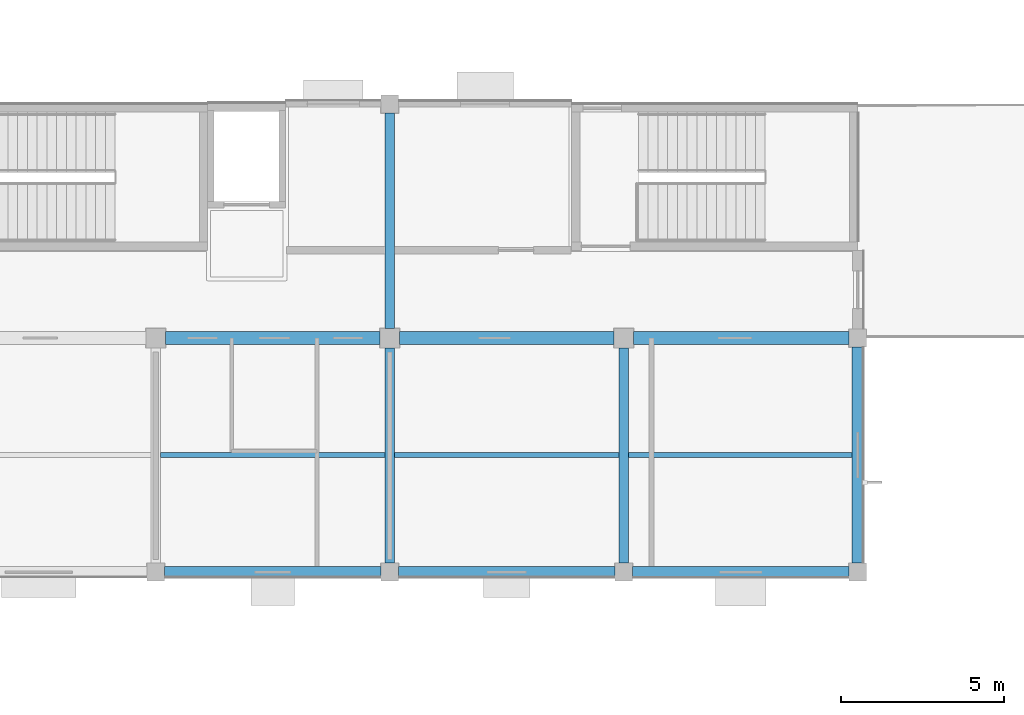
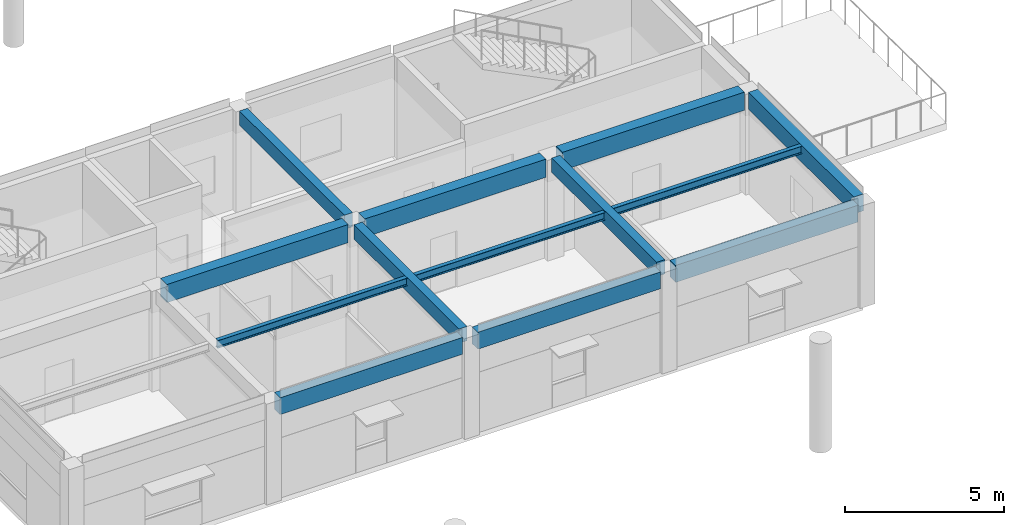
# One storey, part 6 of 41: 13 beams.
"""IFC4 building model written with IfcOpenShell, lengths in metres."""

from ifc_helpers import new_model, si_unit, direction, frame, origin, origin_2d, place, context, subcontext, project, spatial, rectangle, i_section, extrude, material, material_profile, profile_set, type_object, element, save


model = new_model("IFC4")

# Units and contexts
model_context = context("Model", 3, precision=1e-05, world=origin(), true_north=direction((0.0, 1.0)))
body_context = subcontext(model_context, "Body", "Model", "MODEL_VIEW")
ifc_project = project(units=[si_unit("LENGTHUNIT", "METRE"), si_unit("AREAUNIT", "SQUARE_METRE"), si_unit("VOLUMEUNIT", "CUBIC_METRE"), si_unit("PLANEANGLEUNIT", "RADIAN"), si_unit("MASSUNIT", "GRAM", prefix="KILO")], contexts=[model_context])

# Site, building, storey
site_placement = place(None, origin())
site = spatial("IfcSite", under=ifc_project, at=site_placement, CompositionType="ELEMENT")
building_placement = place(site_placement, origin())
building = spatial("IfcBuilding", under=site, at=building_placement, Name="Namkhue Oval Health Centre", CompositionType="ELEMENT")
storey_placement = place(building_placement, frame((0.0, 0.0, 13.800048828125)))
storey = spatial("IfcBuildingStorey", under=building, at=storey_placement, Name="L03", CompositionType="ELEMENT", Elevation=13.800048828125)

# Beams
ifc_material_1 = material(Name="Reinforced concrete C30/37 (TCVN B35)", Category="concrete")
ifc_material_profile_1 = material_profile(ifc_material_1, rectangle(XDim=0.300048828125, YDim=0.550048828125, at=origin_2d()), Name="RC 300x550")
ifc_profile_set_1 = profile_set([ifc_material_profile_1], Name="Reinforced concrete C30/37 (TCVN B35)")
beam_type_1 = type_object("IfcBeamType", Name="FLOOR BEAM RC 300X550", PredefinedType="BEAM", material=ifc_profile_set_1)
for number, where, z_axis, x_axis, name in (
    (1, (108.0, 14.675048828125, 3.60498046875), (0.0, 1.0, 0.0), (-1.0, 0.0, 0.0), "Volume V5 L04 Beam 16/C-D"),
    (2, (108.0, 21.89990234375, 3.60498046875), (0.0, 1.0, 0.0), (-1.0, 0.0, 0.0), "Volume V5 L04 Beam 16/D-E"),
    (3, (115.199951171875, 14.675048828125, 3.65283203125), (0.0, 1.0, 0.0), (-1.0, 0.0, 0.0), "Volume V5 L04 Beam 17/C-D"),
):
    element("IfcBeam", number, at=place(storey_placement, frame(where, z_axis=z_axis, x_axis=x_axis)), inside=storey, type_object=beam_type_1, Name=name, PredefinedType="BEAM", context=body_context, shape_type="SweptSolid", body=[
        extrude(rectangle(XDim=0.300048828125, YDim=0.550048828125, at=origin_2d()), origin(), (0.0, 0.0, 1.0), 6.625),
    ])
ifc_material_2 = material(Name="Reinforced concrete C35/45 (TCVN B40)", Category="concrete")
ifc_material_profile_2 = material_profile(ifc_material_2, rectangle(XDim=0.35009765625, YDim=0.64990234375, at=origin_2d()), Name="RC 350x650")
ifc_profile_set_2 = profile_set([ifc_material_profile_2], Name="Reinforced concrete C35/45 (TCVN B40)")
beam_type_2 = type_object("IfcBeamType", Name="PERIMETER SPANDREL BEAM 350X650", PredefinedType="SPANDREL", material=ifc_profile_set_2)
for number, where, z_axis, x_axis, name in (
    (4, (101.074951171875, 14.39990234375, 3.554931640625), (1.0, 0.0, 0.0), (0.0, 1.0, 0.0), "Volume V5 L04 Girder C/15-16"),
    (5, (108.27490234375, 14.39990234375, 3.554931640625), (1.0, 0.0, 0.0), (0.0, 1.0, 0.0), "Volume V5 L04 Girder C/16-17"),
):
    element("IfcBeam", number, at=place(storey_placement, frame(where, z_axis=z_axis, x_axis=x_axis)), inside=storey, type_object=beam_type_2, Name=name, PredefinedType="SPANDREL", context=body_context, shape_type="SweptSolid", body=[
        extrude(rectangle(XDim=0.35009765625, YDim=0.64990234375, at=origin_2d()), origin(), (0.0, 0.0, 1.0), 6.650146484375),
    ])
for number, where, z_axis, x_axis, name in (
    (6, (115.47509765625, 14.39990234375, 3.60302734375), (1.0, 0.0, 0.0), (0.0, 1.0, 0.0), "Volume V5 L04 Girder C/17-18"),
    (7, (122.39990234375, 14.675048828125, 3.60302734375), (0.0, 1.0, 0.0), (-1.0, 0.0, 0.0), "Volume V5 L04 Beam 18/C-D"),
):
    element("IfcBeam", number, at=place(storey_placement, frame(where, z_axis=z_axis, x_axis=x_axis)), inside=storey, type_object=beam_type_2, Name=name, PredefinedType="SPANDREL", context=body_context, shape_type="SweptSolid", body=[
        extrude(rectangle(XDim=0.35009765625, YDim=0.64990234375, at=origin_2d()), origin(), (0.0, 0.0, 1.0), 6.64990234375),
    ])
ifc_material_profile_3 = material_profile(ifc_material_2, rectangle(XDim=0.39990234375, YDim=0.699951171875, at=origin_2d()), Name="RC 400x700")
ifc_profile_set_3 = profile_set([ifc_material_profile_3], Name="Reinforced concrete C35/45 (TCVN B40)")
beam_type_3 = type_object("IfcBeamType", Name="PRIMARY GIRDER RC 400X700", PredefinedType="USERDEFINED", material=ifc_profile_set_3)
for number, where, z_axis, x_axis, name in (
    (8, (101.10009765625, 21.60009765625, 3.530029296875), (1.0, 0.0, 0.0), (0.0, 1.0, 0.0), "Volume V5 L04 Girder D/15-16"),
    (9, (108.300048828125, 21.60009765625, 3.530029296875), (1.0, 0.0, 0.0), (0.0, 1.0, 0.0), "Volume V5 L04 Girder D/16-17"),
):
    element("IfcBeam", number, at=place(storey_placement, frame(where, z_axis=z_axis, x_axis=x_axis)), inside=storey, type_object=beam_type_3, Name=name, ObjectType="GIRDER", PredefinedType="USERDEFINED", context=body_context, shape_type="SweptSolid", body=[
        extrude(rectangle(XDim=0.39990234375, YDim=0.699951171875, at=origin_2d()), origin(), (0.0, 0.0, 1.0), 6.599853515625),
    ])
beam_1_placement = place(storey_placement, frame((115.5, 21.60009765625, 3.577880859375), z_axis=(1.0, 0.0, 0.0), x_axis=(0.0, 1.0, 0.0)))
element("IfcBeam", 10, at=beam_1_placement, inside=storey, type_object=beam_type_3, Name="Volume V5 L04 Girder D/17-18", ObjectType="GIRDER", PredefinedType="USERDEFINED", context=body_context, shape_type="SweptSolid", body=[
    extrude(rectangle(XDim=0.39990234375, YDim=0.699951171875, at=origin_2d()), origin(), (0.0, 0.0, 1.0), 6.625),
])
ifc_material_3 = material(Name="Structural steel EN 10025-2 S355JR (TCVN 5575:2024)", Category="steel")
ifc_material_profile_4 = material_profile(ifc_material_3, i_section(OverallWidth=0.14990234375, OverallDepth=0.300048828125, WebThickness=0.007080078125, FlangeThickness=0.0107421875, FilletRadius=0.014892578125, at=origin_2d()), Name="IPE 300")
ifc_profile_set_4 = profile_set([ifc_material_profile_4], Name="Structural steel EN 10025-2 S355JR (TCVN 5575:2024)")
beam_type_4 = type_object("IfcBeamType", Name="SECONDARY JOIST STEEL IPE 300", PredefinedType="JOIST", material=ifc_profile_set_4)
for number, where, z_axis, x_axis, name in (
    (11, (100.949951171875, 18.0, 3.72998046875), (1.0, 0.0, 0.0), (0.0, 1.0, 0.0), "Volume V5 L04 Secondary Joist 15-16"),
    (12, (108.14990234375, 18.0, 3.72998046875), (1.0, 0.0, 0.0), (0.0, 1.0, 0.0), "Volume V5 L04 Secondary Joist 16-17"),
):
    element("IfcBeam", number, at=place(storey_placement, frame(where, z_axis=z_axis, x_axis=x_axis)), inside=storey, type_object=beam_type_4, Name=name, PredefinedType="JOIST", context=body_context, shape_type="SweptSolid", body=[
        extrude(i_section(OverallWidth=0.14990234375, OverallDepth=0.300048828125, WebThickness=0.007080078125, FlangeThickness=0.0107421875, FilletRadius=0.014892578125, at=origin_2d()), origin(), (0.0, 0.0, 1.0), 6.900146484375),
    ])
beam_2_placement = place(storey_placement, frame((115.35009765625, 18.0, 3.77783203125), z_axis=(1.0, 0.0, 0.0), x_axis=(0.0, 1.0, 0.0)))
element("IfcBeam", 13, at=beam_2_placement, inside=storey, type_object=beam_type_4, Name="Volume V5 L04 Secondary Joist 17-18", PredefinedType="JOIST", context=body_context, shape_type="SweptSolid", body=[
    extrude(i_section(OverallWidth=0.14990234375, OverallDepth=0.300048828125, WebThickness=0.007080078125, FlangeThickness=0.0107421875, FilletRadius=0.014892578125, at=origin_2d()), origin(), (0.0, 0.0, 1.0), 6.875),
])

save(model, "model.ifc")
